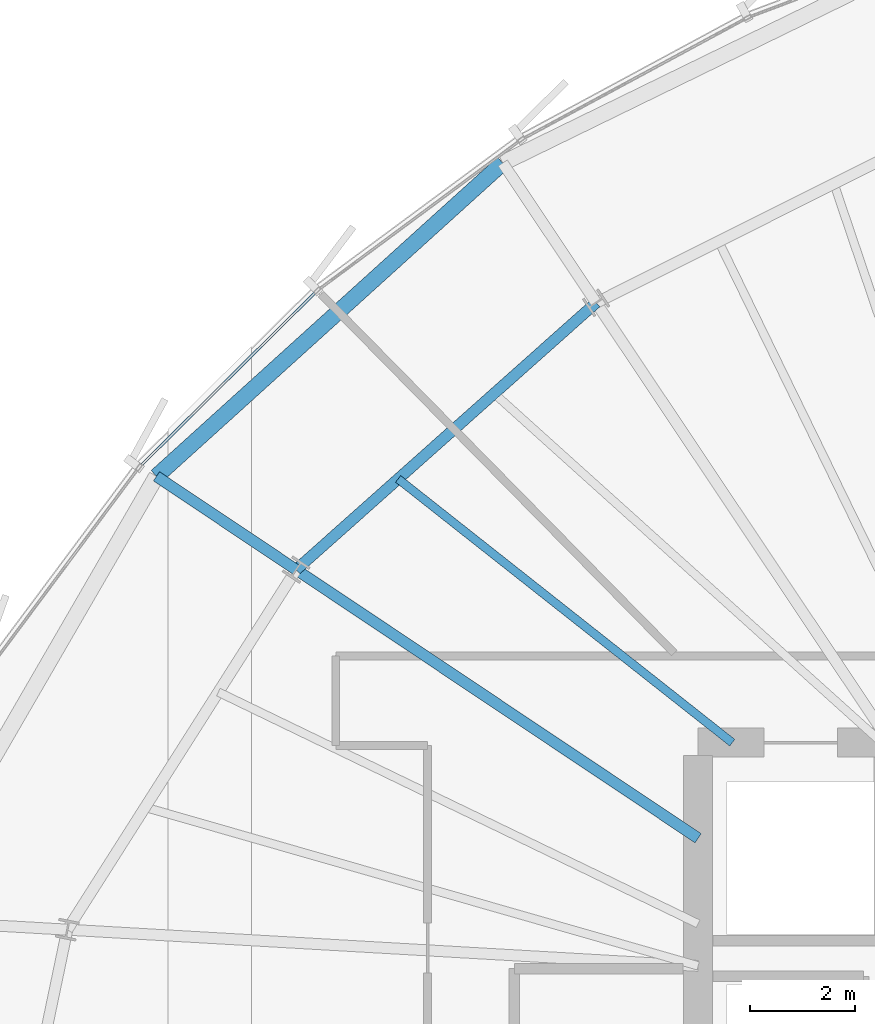
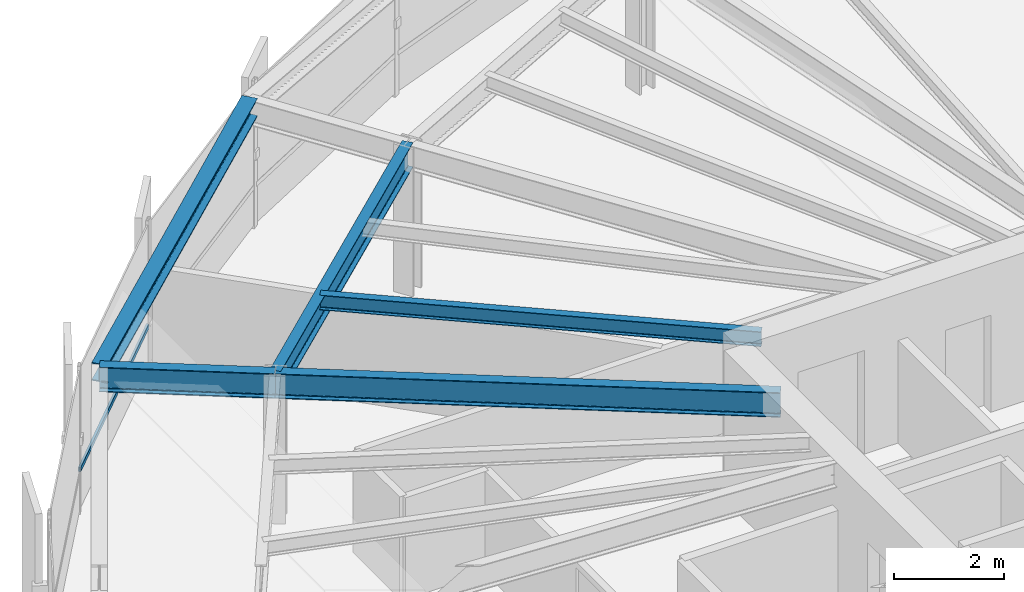
# One storey, part 21 of 36: 5 beams, 1 member, 1 element without a shape of its own.
"""IFC4 building model written with IfcOpenShell, lengths in metres."""

from ifc_helpers import new_model, si_unit, direction, frame, origin, origin_2d, place, context, subcontext, project, spatial, hollow_rectangle, i_section, extrude, source, transform, mapped, material, layer, layer_set, material_profile, profile_set, type_object, element, aggregate, save


model = new_model("IFC4")

# Units and contexts
model_context = context("Model", 3, precision=1e-05, world=origin(), true_north=direction((0.0, 1.0)))
body_context = subcontext(model_context, "Body", "Model", "MODEL_VIEW")
ifc_project = project(units=[si_unit("LENGTHUNIT", "METRE"), si_unit("AREAUNIT", "SQUARE_METRE"), si_unit("VOLUMEUNIT", "CUBIC_METRE"), si_unit("PLANEANGLEUNIT", "RADIAN"), si_unit("MASSUNIT", "GRAM", prefix="KILO"), si_unit("THERMODYNAMICTEMPERATUREUNIT", "KELVIN")], contexts=[model_context])

# Site, building, storey
site_placement = place(None, origin())
site = spatial("IfcSite", under=ifc_project, at=site_placement, CompositionType="ELEMENT")
building_placement = place(site_placement, origin())
building = spatial("IfcBuilding", under=site, at=building_placement, Name="Kethvar Cultural Tower", CompositionType="ELEMENT")
storey_placement = place(building_placement, frame((0.0, 0.0, 164.300048828125)))
storey = spatial("IfcBuildingStorey", under=building, at=storey_placement, Name="L42", CompositionType="ELEMENT", Elevation=164.300048828125)

# Beams
ifc_material_1 = material(Name="Steel S355J2", Category="steel")
ifc_material_profile_1 = material_profile(ifc_material_1, i_section(OverallWidth=0.2099609375, OverallDepth=0.550048828125, WebThickness=0.010986328125, FlangeThickness=0.01708984375, FilletRadius=0.02392578125, at=origin_2d()), Name="Steel S355J2 — IPE550")
ifc_profile_set_1 = profile_set([ifc_material_profile_1], Name="Steel S355J2 — IPE550")
beam_type_1 = type_object("IfcBeamType", Name="BM-IPE550", PredefinedType="BEAM", material=ifc_profile_set_1)
shared_shape_1 = source(origin(), body_context, "Body", "SweptSolid", [
    extrude(i_section(OverallWidth=0.2099609375, OverallDepth=0.550048828125, WebThickness=0.010986328125, FlangeThickness=0.01708984375, FilletRadius=0.02392578125, at=origin_2d()), origin(), (0.0, 0.0, 1.0), 3.199951171875),
])
beam_1_placement = place(storey_placement, frame((30.345947265625, 38.794189453125, 3.02294921875), z_axis=(-0.831462943996, 0.555580212716, 0.0), x_axis=(-0.555580212716, -0.831462943996, 0.0)))
element("IfcBeam", 1, at=beam_1_placement, inside=storey, type_object=beam_type_1, Name="L42 Perimeter Cantilever Beam RC-07", PredefinedType="BEAM", context=body_context, shape_type="MappedRepresentation", body=[
    mapped(shared_shape_1, transform((0.0, 0.0, 0.0), scale=1.0)),
])
shared_shape_2 = source(origin(), body_context, "Body", "SweptSolid", [
    extrude(i_section(OverallWidth=0.2099609375, OverallDepth=0.550048828125, WebThickness=0.010986328125, FlangeThickness=0.01708984375, FilletRadius=0.02392578125, at=origin_2d()), origin(), (0.0, 0.0, 1.0), 9.205322265625),
])
beam_2_placement = place(storey_placement, frame((38.0, 33.679931640625, 3.02294921875), z_axis=(-0.831470451236, 0.555568977465, 0.0), x_axis=(-0.555568977465, -0.831470451236, 0.0)))
element("IfcBeam", 2, at=beam_2_placement, inside=storey, type_object=beam_type_1, Name="L42 Primary Radial Beam RB-07", PredefinedType="BEAM", context=body_context, shape_type="MappedRepresentation", body=[
    mapped(shared_shape_2, transform((0.0, 0.0, 0.0), scale=1.0)),
])
shared_shape_3 = source(origin(), body_context, "Body", "SweptSolid", [
    extrude(i_section(OverallWidth=0.2099609375, OverallDepth=0.550048828125, WebThickness=0.010986328125, FlangeThickness=0.01708984375, FilletRadius=0.02392578125, at=origin_2d()), origin(), (0.0, 0.0, 1.0), 7.64599609375),
])
beam_3_placement = place(storey_placement, frame((36.0576171875, 43.877197265625, 3.02294921875), z_axis=(-0.747021617367, -0.66479974668, 0.0), x_axis=(0.66479974668, -0.747021617367, 0.0)))
element("IfcBeam", 3, at=beam_3_placement, inside=storey, type_object=beam_type_1, Name="L42 Column Ring Tie Beam CR-06", PredefinedType="BEAM", context=body_context, shape_type="MappedRepresentation", body=[
    mapped(shared_shape_3, transform((0.0, 0.0, 0.0), scale=1.0)),
])
ifc_material_profile_2 = material_profile(ifc_material_1, i_section(OverallWidth=0.159912109375, OverallDepth=0.330078125, WebThickness=0.007568359375, FlangeThickness=0.011474609375, FilletRadius=0.01806640625, at=origin_2d()), Name="Steel S355J2 — IPE330")
ifc_profile_set_2 = profile_set([ifc_material_profile_2], Name="Steel S355J2 — IPE330")
beam_type_2 = type_object("IfcBeamType", Name="BM-J330", PredefinedType="JOIST", material=ifc_profile_set_2)
shared_shape_4 = source(origin(), body_context, "Body", "SweptSolid", [
    extrude(i_section(OverallWidth=0.159912109375, OverallDepth=0.330078125, WebThickness=0.007568359375, FlangeThickness=0.011474609375, FilletRadius=0.01806640625, at=origin_2d()), origin(), (0.0, 0.0, 1.0), 8.105712890625),
])
beam_4_placement = place(storey_placement, frame((38.64990234375, 35.5, 3.133056640625), z_axis=(-0.784895872164, 0.619627686486, 0.0), x_axis=(-0.619627686486, -0.784895872164, 0.0)))
element("IfcBeam", 4, at=beam_4_placement, inside=storey, type_object=beam_type_2, Name="L42 Composite Floor Joist J-06B", PredefinedType="JOIST", context=body_context, shape_type="MappedRepresentation", body=[
    mapped(shared_shape_4, transform((0.0, 0.0, 0.0), scale=1.0)),
])
ifc_material_profile_3 = material_profile(ifc_material_1, i_section(OverallWidth=0.300048828125, OverallDepth=0.39990234375, WebThickness=0.013427734375, FlangeThickness=0.02392578125, FilletRadius=0.027099609375, at=origin_2d()), Name="Steel S355J2 — HEB400")
ifc_profile_set_3 = profile_set([ifc_material_profile_3], Name="Steel S355J2 — HEB400")
beam_type_3 = type_object("IfcBeamType", Name="BM-SP400", PredefinedType="SPANDREL", material=ifc_profile_set_3)
shared_shape_5 = source(origin(), body_context, "Body", "SweptSolid", [
    extrude(i_section(OverallWidth=0.300048828125, OverallDepth=0.39990234375, WebThickness=0.013427734375, FlangeThickness=0.02392578125, FilletRadius=0.027099609375, at=origin_2d()), origin(), (0.0, 0.0, 1.0), 8.892822265625),
])
beam_5_placement = place(storey_placement, frame((34.27978515625, 46.5380859375, 3.097900390625), z_axis=(-0.741556591679, -0.670890319901, 0.0), x_axis=(0.670890319901, -0.741556591679, 0.0)))
element("IfcBeam", 5, at=beam_5_placement, inside=storey, type_object=beam_type_3, Name="L42 Perimeter Spandrel Beam SP-06", PredefinedType="SPANDREL", context=body_context, shape_type="MappedRepresentation", body=[
    mapped(shared_shape_5, transform((0.0, 0.0, 0.0), scale=1.0)),
])

# Curtain wall, member
ifc_material_2 = material(Name="Aluminium 6063-T6", Category="aluminium")
ifc_layer = layer(ifc_material_2, 0.179931640625, Name="Aluminium 6063-T6", Category="aluminium")
ifc_layer_set = layer_set([ifc_layer], Name="Aluminium 6063-T6 (180 mm)")
curtain_wall_type = type_object("IfcCurtainWallType", Name="CW-SYS-04-Z34", PredefinedType="NOTDEFINED", material=ifc_layer_set)
curtain_wall_placement = place(storey_placement, origin())
curtain_wall = element("IfcCurtainWall", 6, at=curtain_wall_placement, inside=storey, type_object=curtain_wall_type, Name="L42 Curtain Wall Run 02", PredefinedType="NOTDEFINED")
ifc_material_profile_4 = material_profile(ifc_material_2, hollow_rectangle(XDim=0.050048828125, YDim=0.10009765625, WallThickness=0.00390625, at=origin_2d()), Name="Aluminium 6063-T6 — RHS100x50x4")
ifc_profile_set_4 = profile_set([ifc_material_profile_4], Name="Aluminium 6063-T6 — RHS100x50x4")
member_type = type_object("IfcMemberType", Name="CW-SYS-04-Z34-TRN", PredefinedType="USERDEFINED", material=ifc_profile_set_4)
shared_shape_6 = source(origin(), body_context, "Body", "SweptSolid", [
    extrude(hollow_rectangle(XDim=0.050048828125, YDim=0.10009765625, WallThickness=0.00390625, at=origin_2d()), origin(), (0.0, 0.0, 1.0), 4.713623046875),
])
member_placement = place(storey_placement, frame((30.718994140625, 44.0810546875, 0.949951171875), z_axis=(-0.709691776697, -0.704512300878, 0.0), x_axis=(0.704512300878, -0.709691776697, 0.0)))
member = element("IfcMember", 7, at=member_placement, type_object=member_type, Name="CW-L42-R02 Transom 5", ObjectType="TRANSOM", PredefinedType="USERDEFINED", context=body_context, shape_type="MappedRepresentation", body=[
    mapped(shared_shape_6, transform((0.0, 0.0, 0.0), scale=1.0)),
])
aggregate(curtain_wall, [member])

save(model, "model.ifc")
